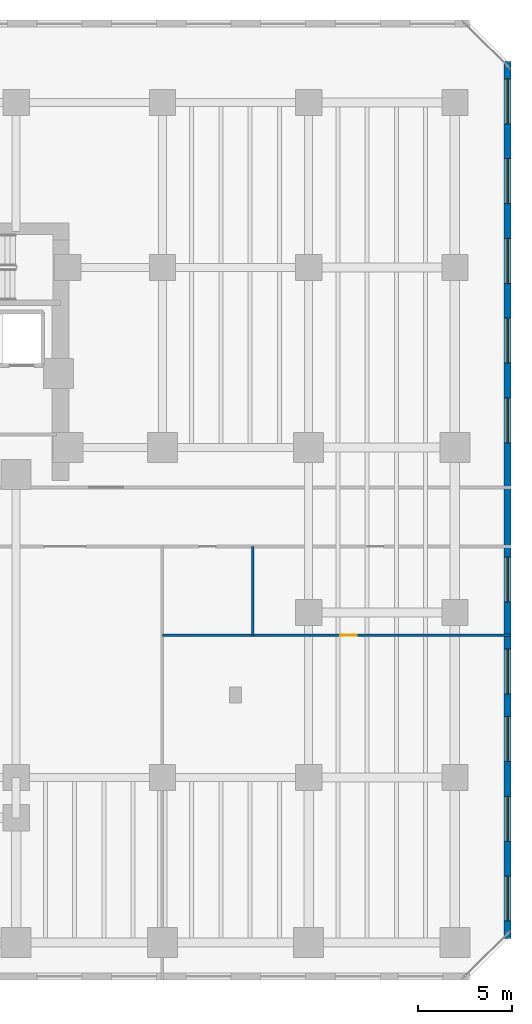
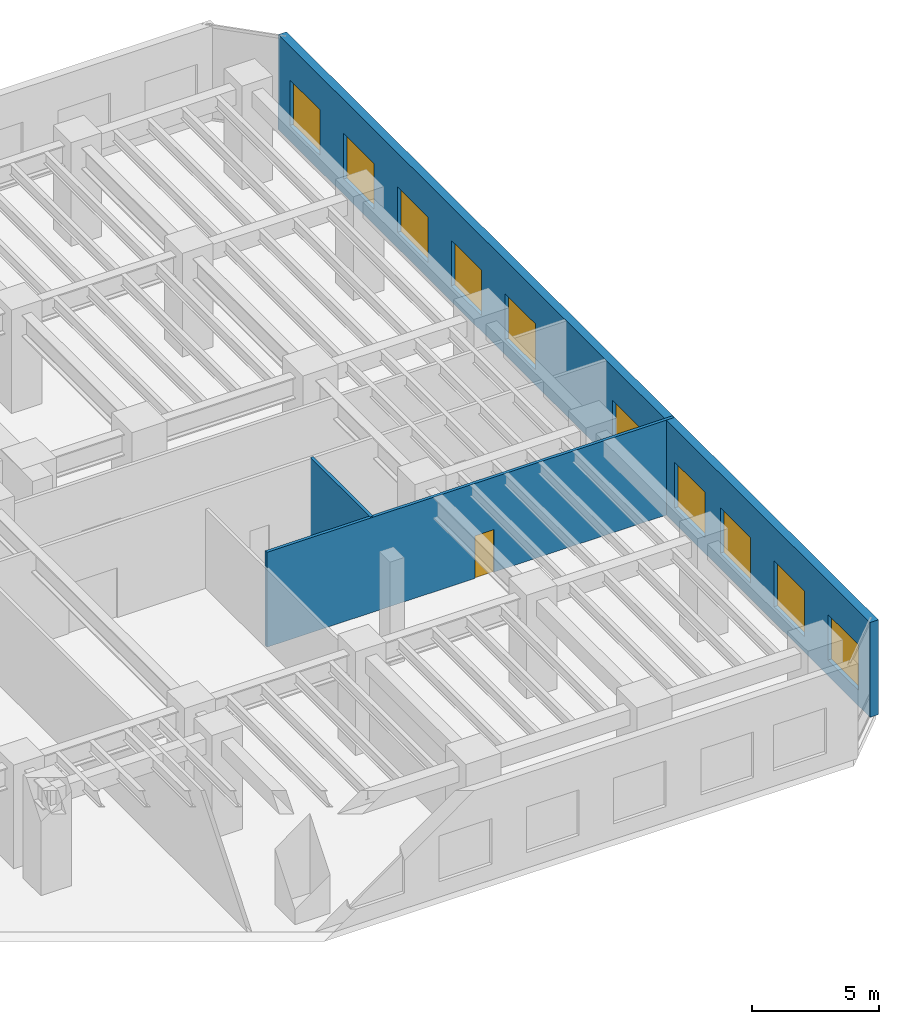
# One storey, part 16 of 20: 10 windows, 3 walls, 1 door, 11 openings.
"""IFC4 building model written with IfcOpenShell, lengths in metres."""

from ifc_helpers import new_model, si_unit, direction, frame, frame_2d, origin, place, context, subcontext, project, spatial, rectangle, extrude, material, layer, layer_set, type_object, element, fill, save


model = new_model("IFC4")

# Units and contexts
model_context = context("Model", 3, precision=1e-05, world=origin(), true_north=direction((0.0, 1.0)))
body_context = subcontext(model_context, "Body", "Model", "MODEL_VIEW")
ifc_project = project(units=[si_unit("LENGTHUNIT", "METRE"), si_unit("AREAUNIT", "SQUARE_METRE"), si_unit("VOLUMEUNIT", "CUBIC_METRE"), si_unit("PLANEANGLEUNIT", "RADIAN"), si_unit("MASSUNIT", "GRAM", prefix="KILO")], contexts=[model_context])

# Site, building, storey
site_placement = place(None, origin())
site = spatial("IfcSite", under=ifc_project, at=site_placement, CompositionType="ELEMENT")
building_placement = place(site_placement, origin())
building = spatial("IfcBuilding", under=site, at=building_placement, Name="Kestravale Grand Hotel", CompositionType="ELEMENT")
storey_placement = place(building_placement, frame((0.0, 0.0, 15.800048828125)))
storey = spatial("IfcBuildingStorey", under=building, at=storey_placement, Name="L03", CompositionType="ELEMENT", Elevation=15.800048828125)

# Wall, openings, windows
ifc_material_1 = material(Name="Precast concrete f'c 45 MPa", Category="concrete")
ifc_layer_1 = layer(ifc_material_1, 0.3798828125)
ifc_layer_set_1 = layer_set([ifc_layer_1], Name="EW-POD-380")
wall_type_1 = type_object("IfcWallType", Name="EW-POD-380", PredefinedType="SOLIDWALL", material=ifc_layer_set_1)
wall_1_placement = place(storey_placement, frame((80.81005859375, 2.610107421875, 0.0), z_axis=(0.0, 0.0, 1.0), x_axis=(0.0, 1.0, 0.0)))
wall_1 = element("IfcWall", 1, at=wall_1_placement, inside=storey, type_object=wall_type_1, Name="L03 fluted precast facade wall 3", PredefinedType="SOLIDWALL", context=body_context, shape_type="SweptSolid", body=[
    extrude(rectangle(XDim=46.77978515625, YDim=0.3798828125, at=frame_2d((23.389892578125, 0.0))), origin(), (0.0, 0.0, 1.0), 4.579833984375),
])
opening_1_placement = place(wall_1_placement, frame((0.926513671875, 0.0, 0.75)))
opening_1 = element("IfcOpeningElement", 2, at=opening_1_placement, cuts=wall_1, Name="Opening W-POD-2400", PredefinedType="OPENING", context=body_context, shape_type="SweptSolid", body=[
    extrude(rectangle(XDim=2.39990234375, YDim=2.199951171875, at=frame_2d((1.199951171875, 1.10009765625))), frame((0.0, 0.199951171875, 0.0), z_axis=(0.0, -1.0, 0.0), x_axis=(1.0, 0.0, 0.0)), (0.0, 0.0, 1.0), 0.39990234375),
])
opening_2_placement = place(wall_1_placement, frame((5.17919921875, 0.0, 0.75)))
opening_2 = element("IfcOpeningElement", 3, at=opening_2_placement, cuts=wall_1, Name="Opening W-POD-2400", PredefinedType="OPENING", context=body_context, shape_type="SweptSolid", body=[
    extrude(rectangle(XDim=2.39990234375, YDim=2.199951171875, at=frame_2d((1.199951171875, 1.10009765625))), frame((0.0, 0.199951171875, 0.0), z_axis=(0.0, -1.0, 0.0), x_axis=(1.0, 0.0, 0.0)), (0.0, 0.0, 1.0), 0.39990234375),
])
opening_3_placement = place(wall_1_placement, frame((9.431884765625, 0.0, 0.75)))
opening_3 = element("IfcOpeningElement", 4, at=opening_3_placement, cuts=wall_1, Name="Opening W-POD-2400", PredefinedType="OPENING", context=body_context, shape_type="SweptSolid", body=[
    extrude(rectangle(XDim=2.39990234375, YDim=2.199951171875, at=frame_2d((1.199951171875, 1.10009765625))), frame((0.0, 0.199951171875, 0.0), z_axis=(0.0, -1.0, 0.0), x_axis=(1.0, 0.0, 0.0)), (0.0, 0.0, 1.0), 0.39990234375),
])
opening_4_placement = place(wall_1_placement, frame((13.034423828125, 0.0, 0.75)))
opening_4 = element("IfcOpeningElement", 5, at=opening_4_placement, cuts=wall_1, Name="Opening W-POD-2400", PredefinedType="OPENING", context=body_context, shape_type="SweptSolid", body=[
    extrude(rectangle(XDim=2.39990234375, YDim=2.199951171875, at=frame_2d((1.199951171875, 1.10009765625))), frame((0.0, 0.199951171875, 0.0), z_axis=(0.0, -1.0, 0.0), x_axis=(1.0, 0.0, 0.0)), (0.0, 0.0, 1.0), 0.39990234375),
])
opening_5_placement = place(wall_1_placement, frame((17.937255859375, 0.0, 0.75)))
opening_5 = element("IfcOpeningElement", 6, at=opening_5_placement, cuts=wall_1, Name="Opening W-POD-2400", PredefinedType="OPENING", context=body_context, shape_type="SweptSolid", body=[
    extrude(rectangle(XDim=2.39990234375, YDim=2.199951171875, at=frame_2d((1.199951171875, 1.10009765625))), frame((0.0, 0.199951171875, 0.0), z_axis=(0.0, -1.0, 0.0), x_axis=(1.0, 0.0, 0.0)), (0.0, 0.0, 1.0), 0.39990234375),
])
opening_6_placement = place(wall_1_placement, frame((26.442626953125, 0.0, 0.75)))
opening_6 = element("IfcOpeningElement", 7, at=opening_6_placement, cuts=wall_1, Name="Opening W-POD-2400", PredefinedType="OPENING", context=body_context, shape_type="SweptSolid", body=[
    extrude(rectangle(XDim=2.39990234375, YDim=2.199951171875, at=frame_2d((1.199951171875, 1.10009765625))), frame((0.0, 0.199951171875, 0.0), z_axis=(0.0, -1.0, 0.0), x_axis=(1.0, 0.0, 0.0)), (0.0, 0.0, 1.0), 0.39990234375),
])
opening_7_placement = place(wall_1_placement, frame((30.695556640625, 0.0, 0.75)))
opening_7 = element("IfcOpeningElement", 8, at=opening_7_placement, cuts=wall_1, Name="Opening W-POD-2400", PredefinedType="OPENING", context=body_context, shape_type="SweptSolid", body=[
    extrude(rectangle(XDim=2.39990234375, YDim=2.199951171875, at=frame_2d((1.199951171875, 1.10009765625))), frame((0.0, 0.199951171875, 0.0), z_axis=(0.0, -1.0, 0.0), x_axis=(1.0, 0.0, 0.0)), (0.0, 0.0, 1.0), 0.39990234375),
])
opening_8_placement = place(wall_1_placement, frame((34.9482421875, 0.0, 0.75)))
opening_8 = element("IfcOpeningElement", 9, at=opening_8_placement, cuts=wall_1, Name="Opening W-POD-2400", PredefinedType="OPENING", context=body_context, shape_type="SweptSolid", body=[
    extrude(rectangle(XDim=2.39990234375, YDim=2.199951171875, at=frame_2d((1.199951171875, 1.10009765625))), frame((0.0, 0.199951171875, 0.0), z_axis=(0.0, -1.0, 0.0), x_axis=(1.0, 0.0, 0.0)), (0.0, 0.0, 1.0), 0.39990234375),
])
opening_9_placement = place(wall_1_placement, frame((39.200927734375, 0.0, 0.75)))
opening_9 = element("IfcOpeningElement", 10, at=opening_9_placement, cuts=wall_1, Name="Opening W-POD-2400", PredefinedType="OPENING", context=body_context, shape_type="SweptSolid", body=[
    extrude(rectangle(XDim=2.39990234375, YDim=2.199951171875, at=frame_2d((1.199951171875, 1.10009765625))), frame((0.0, 0.199951171875, 0.0), z_axis=(0.0, -1.0, 0.0), x_axis=(1.0, 0.0, 0.0)), (0.0, 0.0, 1.0), 0.39990234375),
])
opening_10_placement = place(wall_1_placement, frame((43.45361328125, 0.0, 0.75)))
opening_10 = element("IfcOpeningElement", 11, at=opening_10_placement, cuts=wall_1, Name="Opening W-POD-2400", PredefinedType="OPENING", context=body_context, shape_type="SweptSolid", body=[
    extrude(rectangle(XDim=2.39990234375, YDim=2.199951171875, at=frame_2d((1.199951171875, 1.10009765625))), frame((0.0, 0.199951171875, 0.0), z_axis=(0.0, -1.0, 0.0), x_axis=(1.0, 0.0, 0.0)), (0.0, 0.0, 1.0), 0.39990234375),
])
ifc_material_2 = material(Name="Insulated low-E double glazing in aluminium frame", Category="aluminium")
window_type = type_object("IfcWindowType", Name="W-POD-2400", PartitioningType="DOUBLE_PANEL_VERTICAL", PredefinedType="WINDOW", material=ifc_material_2)
window_1_placement = place(opening_1_placement, origin())
window_1 = element("IfcWindow", 12, at=window_1_placement, inside=storey, type_object=window_type, Name="L03 exterior window 3.1", OverallHeight=2.199951171875, OverallWidth=2.39990234375, PartitioningType="SINGLE_PANEL", PredefinedType="WINDOW", context=body_context, shape_type="SweptSolid", body=[
    extrude(rectangle(XDim=2.39990234375, YDim=2.199951171875, at=frame_2d((1.199951171875, 1.10009765625))), frame((0.0, 0.030029296875, 0.0), z_axis=(0.0, -1.0, 0.0), x_axis=(1.0, 0.0, 0.0)), (0.0, 0.0, 1.0), 0.06005859375),
])
fill(opening_1, window_1)
window_2_placement = place(opening_2_placement, origin())
window_2 = element("IfcWindow", 13, at=window_2_placement, inside=storey, type_object=window_type, Name="L03 exterior window 3.2", OverallHeight=2.199951171875, OverallWidth=2.39990234375, PartitioningType="SINGLE_PANEL", PredefinedType="WINDOW", context=body_context, shape_type="SweptSolid", body=[
    extrude(rectangle(XDim=2.39990234375, YDim=2.199951171875, at=frame_2d((1.199951171875, 1.10009765625))), frame((0.0, 0.030029296875, 0.0), z_axis=(0.0, -1.0, 0.0), x_axis=(1.0, 0.0, 0.0)), (0.0, 0.0, 1.0), 0.06005859375),
])
fill(opening_2, window_2)
window_3_placement = place(opening_3_placement, origin())
window_3 = element("IfcWindow", 14, at=window_3_placement, inside=storey, type_object=window_type, Name="L03 exterior window 3.3", OverallHeight=2.199951171875, OverallWidth=2.39990234375, PartitioningType="SINGLE_PANEL", PredefinedType="WINDOW", context=body_context, shape_type="SweptSolid", body=[
    extrude(rectangle(XDim=2.39990234375, YDim=2.199951171875, at=frame_2d((1.199951171875, 1.10009765625))), frame((0.0, 0.030029296875, 0.0), z_axis=(0.0, -1.0, 0.0), x_axis=(1.0, 0.0, 0.0)), (0.0, 0.0, 1.0), 0.06005859375),
])
fill(opening_3, window_3)
window_4_placement = place(opening_4_placement, origin())
window_4 = element("IfcWindow", 15, at=window_4_placement, inside=storey, type_object=window_type, Name="L03 exterior window 3.4", OverallHeight=2.199951171875, OverallWidth=2.39990234375, PartitioningType="SINGLE_PANEL", PredefinedType="WINDOW", context=body_context, shape_type="SweptSolid", body=[
    extrude(rectangle(XDim=2.39990234375, YDim=2.199951171875, at=frame_2d((1.199951171875, 1.10009765625))), frame((0.0, 0.030029296875, 0.0), z_axis=(0.0, -1.0, 0.0), x_axis=(1.0, 0.0, 0.0)), (0.0, 0.0, 1.0), 0.06005859375),
])
fill(opening_4, window_4)
window_5_placement = place(opening_5_placement, origin())
window_5 = element("IfcWindow", 16, at=window_5_placement, inside=storey, type_object=window_type, Name="L03 exterior window 3.5", OverallHeight=2.199951171875, OverallWidth=2.39990234375, PartitioningType="SINGLE_PANEL", PredefinedType="WINDOW", context=body_context, shape_type="SweptSolid", body=[
    extrude(rectangle(XDim=2.39990234375, YDim=2.199951171875, at=frame_2d((1.199951171875, 1.10009765625))), frame((0.0, 0.030029296875, 0.0), z_axis=(0.0, -1.0, 0.0), x_axis=(1.0, 0.0, 0.0)), (0.0, 0.0, 1.0), 0.06005859375),
])
fill(opening_5, window_5)
window_6_placement = place(opening_6_placement, origin())
window_6 = element("IfcWindow", 17, at=window_6_placement, inside=storey, type_object=window_type, Name="L03 exterior window 3.6", OverallHeight=2.199951171875, OverallWidth=2.39990234375, PartitioningType="SINGLE_PANEL", PredefinedType="WINDOW", context=body_context, shape_type="SweptSolid", body=[
    extrude(rectangle(XDim=2.39990234375, YDim=2.199951171875, at=frame_2d((1.199951171875, 1.10009765625))), frame((0.0, 0.030029296875, 0.0), z_axis=(0.0, -1.0, 0.0), x_axis=(1.0, 0.0, 0.0)), (0.0, 0.0, 1.0), 0.06005859375),
])
fill(opening_6, window_6)
window_7_placement = place(opening_7_placement, origin())
window_7 = element("IfcWindow", 18, at=window_7_placement, inside=storey, type_object=window_type, Name="L03 exterior window 3.7", OverallHeight=2.199951171875, OverallWidth=2.39990234375, PartitioningType="SINGLE_PANEL", PredefinedType="WINDOW", context=body_context, shape_type="SweptSolid", body=[
    extrude(rectangle(XDim=2.39990234375, YDim=2.199951171875, at=frame_2d((1.199951171875, 1.10009765625))), frame((0.0, 0.030029296875, 0.0), z_axis=(0.0, -1.0, 0.0), x_axis=(1.0, 0.0, 0.0)), (0.0, 0.0, 1.0), 0.06005859375),
])
fill(opening_7, window_7)
window_8_placement = place(opening_8_placement, origin())
window_8 = element("IfcWindow", 19, at=window_8_placement, inside=storey, type_object=window_type, Name="L03 exterior window 3.8", OverallHeight=2.199951171875, OverallWidth=2.39990234375, PartitioningType="SINGLE_PANEL", PredefinedType="WINDOW", context=body_context, shape_type="SweptSolid", body=[
    extrude(rectangle(XDim=2.39990234375, YDim=2.199951171875, at=frame_2d((1.199951171875, 1.10009765625))), frame((0.0, 0.030029296875, 0.0), z_axis=(0.0, -1.0, 0.0), x_axis=(1.0, 0.0, 0.0)), (0.0, 0.0, 1.0), 0.06005859375),
])
fill(opening_8, window_8)
window_9_placement = place(opening_9_placement, origin())
window_9 = element("IfcWindow", 20, at=window_9_placement, inside=storey, type_object=window_type, Name="L03 exterior window 3.9", OverallHeight=2.199951171875, OverallWidth=2.39990234375, PartitioningType="SINGLE_PANEL", PredefinedType="WINDOW", context=body_context, shape_type="SweptSolid", body=[
    extrude(rectangle(XDim=2.39990234375, YDim=2.199951171875, at=frame_2d((1.199951171875, 1.10009765625))), frame((0.0, 0.030029296875, 0.0), z_axis=(0.0, -1.0, 0.0), x_axis=(1.0, 0.0, 0.0)), (0.0, 0.0, 1.0), 0.06005859375),
])
fill(opening_9, window_9)
window_10_placement = place(opening_10_placement, origin())
window_10 = element("IfcWindow", 21, at=window_10_placement, inside=storey, type_object=window_type, Name="L03 exterior window 3.10", OverallHeight=2.199951171875, OverallWidth=2.39990234375, PartitioningType="SINGLE_PANEL", PredefinedType="WINDOW", context=body_context, shape_type="SweptSolid", body=[
    extrude(rectangle(XDim=2.39990234375, YDim=2.199951171875, at=frame_2d((1.199951171875, 1.10009765625))), frame((0.0, 0.030029296875, 0.0), z_axis=(0.0, -1.0, 0.0), x_axis=(1.0, 0.0, 0.0)), (0.0, 0.0, 1.0), 0.06005859375),
])
fill(opening_10, window_10)

# Wall, opening, door
ifc_material_3 = material(Name="Moisture-resistant tile-backer plumbing chase wall", Category="other")
ifc_layer_2 = layer(ifc_material_3, 0.139892578125)
ifc_layer_set_2 = layer_set([ifc_layer_2], Name="IW-PLB-140")
wall_type_2 = type_object("IfcWallType", Name="IW-PLB-140", PredefinedType="PLUMBINGWALL", material=ifc_layer_set_2)
wall_2_placement = place(storey_placement, frame((62.39990234375, 18.780029296875, 0.0), z_axis=(0.0, 0.0, 1.0), x_axis=(1.0, 0.0, 0.0)))
wall_2 = element("IfcWall", 22, at=wall_2_placement, inside=storey, type_object=wall_type_2, Name="W-L03-WCH", PredefinedType="PLUMBINGWALL", context=body_context, shape_type="SweptSolid", body=[
    extrude(rectangle(XDim=18.580078125, YDim=0.139892578125, at=frame_2d((9.2900390625, 0.0))), origin(), (0.0, 0.0, 1.0), 4.579833984375),
])
opening_11_placement = place(wall_2_placement, frame((9.48876953125, 0.0, 0.0)))
opening_11 = element("IfcOpeningElement", 23, at=opening_11_placement, cuts=wall_2, Name="Opening D-BATH-880", PredefinedType="OPENING", context=body_context, shape_type="SweptSolid", body=[
    extrude(rectangle(XDim=0.8798828125, YDim=2.050048828125, at=frame_2d((0.43994140625, 1.02490234375))), frame((0.0, 0.079833984375, 0.0), z_axis=(0.0, -1.0, 0.0), x_axis=(1.0, 0.0, 0.0)), (0.0, 0.0, 1.0), 0.159912109375),
])
ifc_material_4 = material(Name="Moisture-sealed walnut en-suite bathroom door", Category="wood")
door_type = type_object("IfcDoorType", Name="D-BATH-880", OperationType="NOTDEFINED", PredefinedType="DOOR", material=ifc_material_4)
door_placement = place(opening_11_placement, origin())
door = element("IfcDoor", 24, at=door_placement, inside=storey, type_object=door_type, Name="D-L03-WCF", OperationType="SINGLE_SWING_RIGHT", OverallHeight=2.050048828125, OverallWidth=0.8798828125, PredefinedType="DOOR", context=body_context, shape_type="SweptSolid", body=[
    extrude(rectangle(XDim=0.8798828125, YDim=2.050048828125, at=frame_2d((0.43994140625, 1.02490234375))), frame((0.0, 0.02490234375, 0.0), z_axis=(0.0, -1.0, 0.0), x_axis=(1.0, 0.0, 0.0)), (0.0, 0.0, 1.0), 0.050048828125),
])
fill(opening_11, door)

# Wall
wall_3_placement = place(storey_placement, frame((67.219970703125, 18.780029296875, 0.0), z_axis=(0.0, 0.0, 1.0), x_axis=(0.0, 1.0, 0.0)))
element("IfcWall", 25, at=wall_3_placement, inside=storey, type_object=wall_type_2, Name="W-L03-WCV", PredefinedType="PLUMBINGWALL", context=body_context, shape_type="SweptSolid", body=[
    extrude(rectangle(XDim=4.739990234375, YDim=0.139892578125, at=frame_2d((2.3701171875, 0.0))), origin(), (0.0, 0.0, 1.0), 4.579833984375),
])

save(model, "model.ifc")
